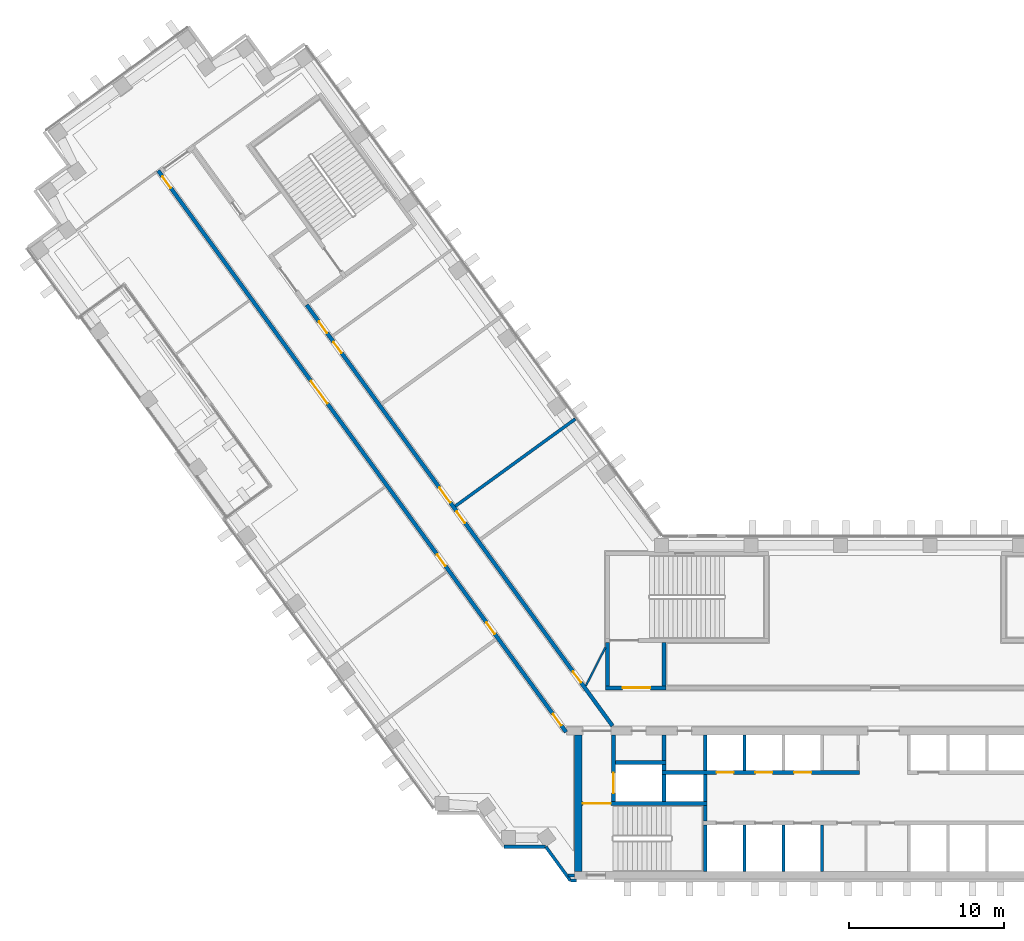
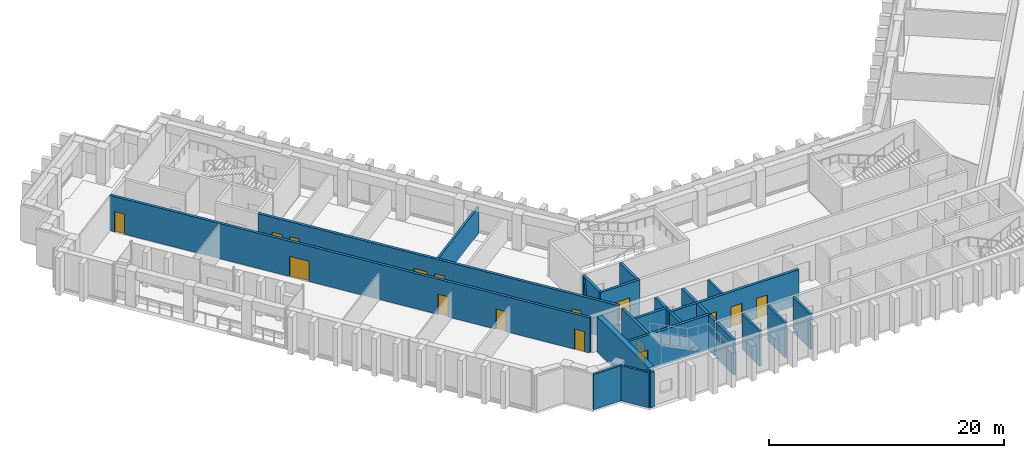
# One storey, part 8 of 17: 27 walls, 16 doors, 16 openings.
"""IFC4 building model written with IfcOpenShell, lengths in metres."""

from ifc_helpers import new_model, si_unit, direction, frame, frame_2d, origin, place, context, subcontext, project, spatial, rectangle, extrude, material, layer, layer_set, type_object, element, fill, save


model = new_model("IFC4")

# Units and contexts
model_context = context("Model", 3, precision=1e-05, world=origin(), true_north=direction((0.0, 1.0)))
body_context = subcontext(model_context, "Body", "Model", "MODEL_VIEW")
ifc_project = project(units=[si_unit("LENGTHUNIT", "METRE"), si_unit("AREAUNIT", "SQUARE_METRE"), si_unit("VOLUMEUNIT", "CUBIC_METRE"), si_unit("PLANEANGLEUNIT", "RADIAN"), si_unit("MASSUNIT", "GRAM", prefix="KILO")], contexts=[model_context])

# Site, building, storey
site_placement = place(None, origin())
site = spatial("IfcSite", under=ifc_project, at=site_placement, CompositionType="ELEMENT")
building_placement = place(site_placement, origin())
building = spatial("IfcBuilding", under=site, at=building_placement, Name="Quipu Civic Tower", CompositionType="ELEMENT")
storey_placement = place(building_placement, frame((0.0, 0.0, 43.0)))
storey = spatial("IfcBuildingStorey", under=building, at=storey_placement, Name="L09", CompositionType="ELEMENT", Elevation=43.0)

# Walls
ifc_material_1 = material(Name="Fired clay blockwork", Category="masonry")
ifc_layer_1 = layer(ifc_material_1, 0.199951171875)
ifc_layer_set_1 = layer_set([ifc_layer_1], Name="Fired clay blockwork")
wall_type_1 = type_object("IfcWallType", Name="Blockwork wall 200", PredefinedType="SOLIDWALL", material=ifc_layer_set_1)
wall_1_placement = place(storey_placement, frame((-19.938232421875, 18.62939453125, 0.0), z_axis=(0.0, 0.0, 1.0), x_axis=(-0.80900684162, -0.587799226107, 0.0)))
element("IfcWall", 1, at=wall_1_placement, inside=storey, type_object=wall_type_1, Name="Partition P18", PredefinedType="SOLIDWALL", context=body_context, shape_type="SweptSolid", body=[
    extrude(rectangle(XDim=9.550048828125, YDim=0.199951171875, at=frame_2d((4.77490234375, 0.0))), origin(), (0.0, 0.0, 1.0), 2.75),
])
ifc_material_2 = material(Name="Concrete C70/85", Category="concrete")
ifc_layer_2 = layer(ifc_material_2, 0.25)
ifc_layer_set_2 = layer_set([ifc_layer_2], Name="Concrete C70/85")
wall_type_2 = type_object("IfcWallType", Name="Core wall 250", PredefinedType="SHEAR", material=ifc_layer_set_2)
wall_2_placement = place(storey_placement, frame((-11.574951171875, -10.5, 0.0), z_axis=(0.0, 0.0, 1.0), x_axis=(0.0, 1.0, 0.0)))
element("IfcWall", 2, at=wall_2_placement, inside=storey, type_object=wall_type_2, Name="Core wall", PredefinedType="SHEAR", context=body_context, shape_type="SweptSolid", body=[
    extrude(rectangle(XDim=3.0, YDim=0.25, at=frame_2d((1.5, 0.0))), origin(), (0.0, 0.0, 1.0), 3.64990234375),
])
wall_3_placement = place(storey_placement, frame((-11.574951171875, -7.25, 0.0), z_axis=(0.0, 0.0, 1.0), x_axis=(0.0, 1.0, 0.0)))
element("IfcWall", 3, at=wall_3_placement, inside=storey, type_object=wall_type_2, Name="Core wall", PredefinedType="SHEAR", context=body_context, shape_type="SweptSolid", body=[
    extrude(rectangle(XDim=1.0, YDim=0.25, at=frame_2d((0.5, 0.0))), origin(), (0.0, 0.0, 1.0), 3.64990234375),
])

# Wall, opening, door
wall_4_placement = place(storey_placement, frame((-11.449951171875, -6.125, 0.0), z_axis=(0.0, 0.0, 1.0), x_axis=(-1.0, 0.0, 0.0)))
wall_4 = element("IfcWall", 4, at=wall_4_placement, inside=storey, type_object=wall_type_2, Name="Core wall", PredefinedType="SHEAR", context=body_context, shape_type="SweptSolid", body=[
    extrude(rectangle(XDim=8.050048828125, YDim=0.25, at=frame_2d((4.02490234375, 0.0))), origin(), (0.0, 0.0, 1.0), 3.64990234375),
])
opening_1_placement = place(wall_4_placement, frame((6.199951171875, 0.0, 0.0)))
opening_1 = element("IfcOpeningElement", 5, at=opening_1_placement, cuts=wall_4, Name="Opening CD-03", PredefinedType="OPENING", context=body_context, shape_type="SweptSolid", body=[
    extrude(rectangle(XDim=1.800048828125, YDim=2.10009765625, at=frame_2d((0.89990234375, 1.050048828125))), frame((0.0, 0.135009765625, 0.0), z_axis=(0.0, -1.0, 0.0), x_axis=(1.0, 0.0, 0.0)), (0.0, 0.0, 1.0), 0.27001953125),
])
ifc_material_3 = material(Name="Fire rated steel door", Category="steel")
door_type_1 = type_object("IfcDoorType", Name="Fire door FD90 double 1800 x 2100", OperationType="NOTDEFINED", PredefinedType="DOOR", material=ifc_material_3)
door_1_placement = place(opening_1_placement, origin())
door_1 = element("IfcDoor", 6, at=door_1_placement, inside=storey, type_object=door_type_1, Name="Door", OperationType="DOUBLE_DOOR_SINGLE_SWING", OverallHeight=2.10009765625, OverallWidth=1.800048828125, PredefinedType="DOOR", context=body_context, shape_type="SweptSolid", body=[
    extrude(rectangle(XDim=1.800048828125, YDim=2.10009765625, at=frame_2d((0.89990234375, 1.050048828125))), frame((0.0, 0.02490234375, 0.0), z_axis=(0.0, -1.0, 0.0), x_axis=(1.0, 0.0, 0.0)), (0.0, 0.0, 1.0), 0.050048828125),
])
fill(opening_1, door_1)

wall_5_placement = place(storey_placement, frame((-17.47509765625, -6.0, 0.0), z_axis=(0.0, 0.0, 1.0), x_axis=(0.0, 1.0, 0.0)))
wall_5 = element("IfcWall", 7, at=wall_5_placement, inside=storey, type_object=wall_type_2, Name="Core wall", PredefinedType="SHEAR", context=body_context, shape_type="SweptSolid", body=[
    extrude(rectangle(XDim=4.300048828125, YDim=0.25, at=frame_2d((2.14990234375, 0.0))), origin(), (0.0, 0.0, 1.0), 3.64990234375),
])
opening_2_placement = place(wall_5_placement, frame((0.550048828125, 0.0, 0.0)))
opening_2 = element("IfcOpeningElement", 8, at=opening_2_placement, cuts=wall_5, Name="Opening LD-FF1", PredefinedType="OPENING", context=body_context, shape_type="SweptSolid", body=[
    extrude(rectangle(XDim=1.300048828125, YDim=2.10009765625, at=frame_2d((0.64990234375, 1.050048828125))), frame((0.0, 0.135009765625, 0.0), z_axis=(0.0, -1.0, 0.0), x_axis=(1.0, 0.0, 0.0)), (0.0, 0.0, 1.0), 0.27001953125),
])
ifc_material_4 = material(Name="Stainless steel", Category="steel")
door_type_2 = type_object("IfcDoorType", Name="Lift landing door 1300 x 2100", OperationType="DOUBLE_DOOR_SLIDING", PredefinedType="DOOR", material=ifc_material_4)
door_2_placement = place(opening_2_placement, origin())
door_2 = element("IfcDoor", 9, at=door_2_placement, inside=storey, type_object=door_type_2, Name="Landing door FF1", OperationType="DOUBLE_DOOR_SLIDING", OverallHeight=2.10009765625, OverallWidth=1.300048828125, PredefinedType="DOOR", context=body_context, shape_type="SweptSolid", body=[
    extrude(rectangle(XDim=1.300048828125, YDim=2.10009765625, at=frame_2d((0.64990234375, 1.050048828125))), frame((0.0, 0.02490234375, 0.0), z_axis=(0.0, -1.0, 0.0), x_axis=(1.0, 0.0, 0.0)), (0.0, 0.0, 1.0), 0.050048828125),
])
fill(opening_2, door_2)

# Walls
for number, where, z_axis, x_axis, name in (
    (10, (-14.22509765625, -6.0, 0.0), (0.0, 0.0, 1.0), (0.0, 1.0, 0.0), "Core wall"),
    (11, (-11.574951171875, -6.0, 0.0), (0.0, 0.0, 1.0), (0.0, 1.0, 0.0), "Core wall"),
):
    element("IfcWall", number, at=place(storey_placement, frame(where, z_axis=z_axis, x_axis=x_axis)), inside=storey, type_object=wall_type_2, Name=name, PredefinedType="SHEAR", context=body_context, shape_type="SweptSolid", body=[
        extrude(rectangle(XDim=1.75, YDim=0.25, at=frame_2d((0.875, 0.0))), origin(), (0.0, 0.0, 1.0), 3.64990234375),
    ])

# Wall, openings, doors
wall_6_placement = place(storey_placement, frame((-14.35009765625, -4.125, 0.0), z_axis=(0.0, 0.0, 1.0), x_axis=(1.0, 0.0, 0.0)))
wall_6 = element("IfcWall", 12, at=wall_6_placement, inside=storey, type_object=wall_type_2, Name="Core wall", PredefinedType="SHEAR", context=body_context, shape_type="SweptSolid", body=[
    extrude(rectangle(XDim=12.7001953125, YDim=0.25, at=frame_2d((6.35009765625, 0.0))), origin(), (0.0, 0.0, 1.0), 3.64990234375),
])
opening_3_placement = place(wall_6_placement, frame((3.5, 0.0, 0.0)))
opening_3 = element("IfcOpeningElement", 13, at=opening_3_placement, cuts=wall_6, Name="Opening LD-LL4", PredefinedType="OPENING", context=body_context, shape_type="SweptSolid", body=[
    extrude(rectangle(XDim=1.10009765625, YDim=2.10009765625, at=frame_2d((0.550048828125, 1.050048828125))), frame((0.0, 0.135009765625, 0.0), z_axis=(0.0, -1.0, 0.0), x_axis=(1.0, 0.0, 0.0)), (0.0, 0.0, 1.0), 0.27001953125),
])
opening_4_placement = place(wall_6_placement, frame((6.0, 0.0, 0.0)))
opening_4 = element("IfcOpeningElement", 14, at=opening_4_placement, cuts=wall_6, Name="Opening LD-LL5", PredefinedType="OPENING", context=body_context, shape_type="SweptSolid", body=[
    extrude(rectangle(XDim=1.10009765625, YDim=2.10009765625, at=frame_2d((0.550048828125, 1.050048828125))), frame((0.0, 0.135009765625, 0.0), z_axis=(0.0, -1.0, 0.0), x_axis=(1.0, 0.0, 0.0)), (0.0, 0.0, 1.0), 0.27001953125),
])
opening_5_placement = place(wall_6_placement, frame((8.5, 0.0, 0.0)))
opening_5 = element("IfcOpeningElement", 15, at=opening_5_placement, cuts=wall_6, Name="Opening LD-LL6", PredefinedType="OPENING", context=body_context, shape_type="SweptSolid", body=[
    extrude(rectangle(XDim=1.10009765625, YDim=2.10009765625, at=frame_2d((0.550048828125, 1.050048828125))), frame((0.0, 0.135009765625, 0.0), z_axis=(0.0, -1.0, 0.0), x_axis=(1.0, 0.0, 0.0)), (0.0, 0.0, 1.0), 0.27001953125),
])
ifc_material_5 = material(Name="Stainless steel", Category="steel")
door_type_3 = type_object("IfcDoorType", Name="Lift landing door 1100 x 2100", OperationType="DOUBLE_DOOR_SLIDING", PredefinedType="DOOR", material=ifc_material_5)
door_3_placement = place(opening_3_placement, origin())
door_3 = element("IfcDoor", 16, at=door_3_placement, inside=storey, type_object=door_type_3, Name="Landing door LL4", OperationType="DOUBLE_DOOR_SLIDING", OverallHeight=2.10009765625, OverallWidth=1.10009765625, PredefinedType="DOOR", context=body_context, shape_type="SweptSolid", body=[
    extrude(rectangle(XDim=1.10009765625, YDim=2.10009765625, at=frame_2d((0.550048828125, 1.050048828125))), frame((0.0, 0.02490234375, 0.0), z_axis=(0.0, -1.0, 0.0), x_axis=(1.0, 0.0, 0.0)), (0.0, 0.0, 1.0), 0.050048828125),
])
fill(opening_3, door_3)
door_4_placement = place(opening_4_placement, origin())
door_4 = element("IfcDoor", 17, at=door_4_placement, inside=storey, type_object=door_type_3, Name="Landing door LL5", OperationType="DOUBLE_DOOR_SLIDING", OverallHeight=2.10009765625, OverallWidth=1.10009765625, PredefinedType="DOOR", context=body_context, shape_type="SweptSolid", body=[
    extrude(rectangle(XDim=1.10009765625, YDim=2.10009765625, at=frame_2d((0.550048828125, 1.050048828125))), frame((0.0, 0.02490234375, 0.0), z_axis=(0.0, -1.0, 0.0), x_axis=(1.0, 0.0, 0.0)), (0.0, 0.0, 1.0), 0.050048828125),
])
fill(opening_4, door_4)
door_5_placement = place(opening_5_placement, origin())
door_5 = element("IfcDoor", 18, at=door_5_placement, inside=storey, type_object=door_type_3, Name="Landing door LL6", OperationType="DOUBLE_DOOR_SLIDING", OverallHeight=2.10009765625, OverallWidth=1.10009765625, PredefinedType="DOOR", context=body_context, shape_type="SweptSolid", body=[
    extrude(rectangle(XDim=1.10009765625, YDim=2.10009765625, at=frame_2d((0.550048828125, 1.050048828125))), frame((0.0, 0.02490234375, 0.0), z_axis=(0.0, -1.0, 0.0), x_axis=(1.0, 0.0, 0.0)), (0.0, 0.0, 1.0), 0.050048828125),
])
fill(opening_5, door_5)

# Walls
wall_7_placement = place(storey_placement, frame((-14.22509765625, -4.0, 0.0), z_axis=(0.0, 0.0, 1.0), x_axis=(0.0, 1.0, 0.0)))
element("IfcWall", 19, at=wall_7_placement, inside=storey, type_object=wall_type_2, Name="Core wall", PredefinedType="SHEAR", context=body_context, shape_type="SweptSolid", body=[
    extrude(rectangle(XDim=0.39990234375, YDim=0.25, at=frame_2d((0.199951171875, 0.0))), origin(), (0.0, 0.0, 1.0), 3.64990234375),
])
wall_8_placement = place(storey_placement, frame((-11.574951171875, -4.0, 0.0), z_axis=(0.0, 0.0, 1.0), x_axis=(0.0, 1.0, 0.0)))
element("IfcWall", 20, at=wall_8_placement, inside=storey, type_object=wall_type_2, Name="Core wall", PredefinedType="SHEAR", context=body_context, shape_type="SweptSolid", body=[
    extrude(rectangle(XDim=2.300048828125, YDim=0.25, at=frame_2d((1.14990234375, 0.0))), origin(), (0.0, 0.0, 1.0), 3.64990234375),
])
wall_9_placement = place(storey_placement, frame((-17.35009765625, -3.47509765625, 0.0), z_axis=(0.0, 0.0, 1.0), x_axis=(1.0, 0.0, 0.0)))
element("IfcWall", 21, at=wall_9_placement, inside=storey, type_object=wall_type_2, Name="Core wall", PredefinedType="SHEAR", context=body_context, shape_type="SweptSolid", body=[
    extrude(rectangle(XDim=3.25, YDim=0.25, at=frame_2d((1.625, 0.0))), origin(), (0.0, 0.0, 1.0), 3.64990234375),
])
wall_10_placement = place(storey_placement, frame((-14.22509765625, -3.35009765625, 0.0), z_axis=(0.0, 0.0, 1.0), x_axis=(0.0, 1.0, 0.0)))
element("IfcWall", 22, at=wall_10_placement, inside=storey, type_object=wall_type_2, Name="Core wall", PredefinedType="SHEAR", context=body_context, shape_type="SweptSolid", body=[
    extrude(rectangle(XDim=1.650146484375, YDim=0.25, at=frame_2d((0.8251953125, 0.0))), origin(), (0.0, 0.0, 1.0), 3.64990234375),
])

# Wall, opening, door
wall_11_placement = place(storey_placement, frame((-18.0, 1.324951171875, 0.0), z_axis=(0.0, 0.0, 1.0), x_axis=(1.0, 0.0, 0.0)))
wall_11 = element("IfcWall", 23, at=wall_11_placement, inside=storey, type_object=wall_type_2, Name="Core wall", PredefinedType="SHEAR", context=body_context, shape_type="SweptSolid", body=[
    extrude(rectangle(XDim=3.89990234375, YDim=0.25, at=frame_2d((1.949951171875, 0.0))), origin(), (0.0, 0.0, 1.0), 3.64990234375),
])
opening_6_placement = place(wall_11_placement, frame((1.10009765625, 0.0, 0.0)))
opening_6 = element("IfcOpeningElement", 24, at=opening_6_placement, cuts=wall_11, Name="Opening CD-14", PredefinedType="OPENING", context=body_context, shape_type="SweptSolid", body=[
    extrude(rectangle(XDim=1.800048828125, YDim=2.10009765625, at=frame_2d((0.89990234375, 1.050048828125))), frame((0.0, 0.135009765625, 0.0), z_axis=(0.0, -1.0, 0.0), x_axis=(1.0, 0.0, 0.0)), (0.0, 0.0, 1.0), 0.27001953125),
])
door_6_placement = place(opening_6_placement, origin())
door_6 = element("IfcDoor", 25, at=door_6_placement, inside=storey, type_object=door_type_1, Name="Lobby door", OperationType="DOUBLE_DOOR_SINGLE_SWING", OverallHeight=2.10009765625, OverallWidth=1.800048828125, PredefinedType="DOOR", context=body_context, shape_type="SweptSolid", body=[
    extrude(rectangle(XDim=1.800048828125, YDim=2.10009765625, at=frame_2d((0.89990234375, 1.050048828125))), frame((0.0, 0.02490234375, 0.0), z_axis=(0.0, -1.0, 0.0), x_axis=(1.0, 0.0, 0.0)), (0.0, 0.0, 1.0), 0.050048828125),
])
fill(opening_6, door_6)

# Walls
for number, where, z_axis, x_axis, name in (
    (26, (-17.875, 1.449951171875, 0.0), (0.0, 0.0, 1.0), (0.0, 1.0, 0.0), "Core wall"),
    (27, (-14.22509765625, 1.449951171875, 0.0), (0.0, 0.0, 1.0), (0.0, 1.0, 0.0), "Core wall"),
):
    element("IfcWall", number, at=place(storey_placement, frame(where, z_axis=z_axis, x_axis=x_axis)), inside=storey, type_object=wall_type_2, Name=name, PredefinedType="SHEAR", context=body_context, shape_type="SweptSolid", body=[
        extrude(rectangle(XDim=2.800048828125, YDim=0.25, at=frame_2d((1.39990234375, 0.0))), origin(), (0.0, 0.0, 1.0), 3.64990234375),
    ])
ifc_material_6 = material(Name="Concrete C70/85", Category="concrete")
ifc_layer_3 = layer(ifc_material_6, 0.5)
ifc_layer_set_3 = layer_set([ifc_layer_3], Name="Concrete C70/85")
wall_type_3 = type_object("IfcWallType", Name="Core wall 500", PredefinedType="SHEAR", material=ifc_layer_set_3)
wall_12_placement = place(storey_placement, frame((-19.75, -10.5, 0.0), z_axis=(0.0, 0.0, 1.0), x_axis=(0.0, 1.0, 0.0)))
element("IfcWall", 28, at=wall_12_placement, inside=storey, type_object=wall_type_3, Name="Core wall", PredefinedType="SHEAR", context=body_context, shape_type="SweptSolid", body=[
    extrude(rectangle(XDim=8.800048828125, YDim=0.5, at=frame_2d((4.39990234375, 0.0))), origin(), (0.0, 0.0, 1.0), 3.64990234375),
])

# Wall, openings, doors
ifc_material_7 = material(Name="Concrete C50/60", Category="concrete")
ifc_layer_4 = layer(ifc_material_7, 0.25)
ifc_layer_set_4 = layer_set([ifc_layer_4], Name="Concrete C50/60")
wall_type_4 = type_object("IfcWallType", Name="Corridor wall 250 concrete", PredefinedType="SOLIDWALL", material=ifc_layer_set_4)
wall_13_placement = place(storey_placement, frame((-20.531005859375, -1.5234375, 0.0), z_axis=(0.0, 0.0, 1.0), x_axis=(-0.587784593204, 0.809017473231, 0.0)))
wall_13 = element("IfcWall", 29, at=wall_13_placement, inside=storey, type_object=wall_type_4, Name="Corridor wall C01", PredefinedType="SOLIDWALL", context=body_context, shape_type="SweptSolid", body=[
    extrude(rectangle(XDim=44.67041015625, YDim=0.25, at=frame_2d((22.335205078125, 0.0))), origin(), (0.0, 0.0, 1.0), 3.64990234375),
])
opening_7_placement = place(wall_13_placement, frame((26.14013671875, 0.0, 0.0)))
opening_7 = element("IfcOpeningElement", 30, at=opening_7_placement, cuts=wall_13, Name="Opening D019", PredefinedType="OPENING", context=body_context, shape_type="SweptSolid", body=[
    extrude(rectangle(XDim=1.800048828125, YDim=2.10009765625, at=frame_2d((0.89990234375, 1.050048828125))), frame((0.0, 0.135009765625, 0.0), z_axis=(0.0, -1.0, 0.0), x_axis=(1.0, 0.0, 0.0)), (0.0, 0.0, 1.0), 0.27001953125),
])
opening_8_placement = place(wall_13_placement, frame((43.295654296875, 0.0, 0.0)))
opening_8 = element("IfcOpeningElement", 31, at=opening_8_placement, cuts=wall_13, Name="Opening D018", PredefinedType="OPENING", context=body_context, shape_type="SweptSolid", body=[
    extrude(rectangle(XDim=0.89990234375, YDim=2.10009765625, at=frame_2d((0.449951171875, 1.050048828125))), frame((0.0, 0.135009765625, 0.0), z_axis=(0.0, -1.0, 0.0), x_axis=(1.0, 0.0, 0.0)), (0.0, 0.0, 1.0), 0.27001953125),
])
opening_9_placement = place(wall_13_placement, frame((13.216064453125, 0.0, 0.0)))
opening_9 = element("IfcOpeningElement", 32, at=opening_9_placement, cuts=wall_13, Name="Opening D020", PredefinedType="OPENING", context=body_context, shape_type="SweptSolid", body=[
    extrude(rectangle(XDim=0.89990234375, YDim=2.10009765625, at=frame_2d((0.449951171875, 1.050048828125))), frame((0.0, 0.135009765625, 0.0), z_axis=(0.0, -1.0, 0.0), x_axis=(1.0, 0.0, 0.0)), (0.0, 0.0, 1.0), 0.27001953125),
])
opening_10_placement = place(wall_13_placement, frame((7.81591796875, 0.0, 0.0)))
opening_10 = element("IfcOpeningElement", 33, at=opening_10_placement, cuts=wall_13, Name="Opening D021", PredefinedType="OPENING", context=body_context, shape_type="SweptSolid", body=[
    extrude(rectangle(XDim=0.89990234375, YDim=2.10009765625, at=frame_2d((0.449951171875, 1.050048828125))), frame((0.0, 0.135009765625, 0.0), z_axis=(0.0, -1.0, 0.0), x_axis=(1.0, 0.0, 0.0)), (0.0, 0.0, 1.0), 0.27001953125),
])
opening_11_placement = place(wall_13_placement, frame((0.53271484375, 0.0, 0.0)))
opening_11 = element("IfcOpeningElement", 34, at=opening_11_placement, cuts=wall_13, Name="Opening D022", PredefinedType="OPENING", context=body_context, shape_type="SweptSolid", body=[
    extrude(rectangle(XDim=0.89990234375, YDim=2.10009765625, at=frame_2d((0.449951171875, 1.050048828125))), frame((0.0, 0.135009765625, 0.0), z_axis=(0.0, -1.0, 0.0), x_axis=(1.0, 0.0, 0.0)), (0.0, 0.0, 1.0), 0.27001953125),
])
ifc_material_8 = material(Name="Fire rated timber door set with metal frame", Category="wood")
door_type_4 = type_object("IfcDoorType", Name="Double door 1800 x 2100 FD60", OperationType="DOUBLE_DOOR_SINGLE_SWING", PredefinedType="DOOR", material=ifc_material_8)
door_7_placement = place(opening_7_placement, origin())
door_7 = element("IfcDoor", 35, at=door_7_placement, inside=storey, type_object=door_type_4, Name="Door D019", OperationType="DOUBLE_DOOR_SINGLE_SWING", OverallHeight=2.10009765625, OverallWidth=1.800048828125, PredefinedType="DOOR", context=body_context, shape_type="SweptSolid", body=[
    extrude(rectangle(XDim=1.800048828125, YDim=2.10009765625, at=frame_2d((0.89990234375, 1.050048828125))), frame((0.0, 0.02490234375, 0.0), z_axis=(0.0, -1.0, 0.0), x_axis=(1.0, 0.0, 0.0)), (0.0, 0.0, 1.0), 0.050048828125),
])
fill(opening_7, door_7)
ifc_material_9 = material(Name="Fire rated timber door set with metal frame", Category="wood")
door_type_5 = type_object("IfcDoorType", Name="Single door 900 x 2100 FD60", OperationType="NOTDEFINED", PredefinedType="DOOR", material=ifc_material_9)
door_8_placement = place(opening_8_placement, origin())
door_8 = element("IfcDoor", 36, at=door_8_placement, inside=storey, type_object=door_type_5, Name="Door D018", OperationType="SINGLE_SWING_RIGHT", OverallHeight=2.10009765625, OverallWidth=0.89990234375, PredefinedType="DOOR", context=body_context, shape_type="SweptSolid", body=[
    extrude(rectangle(XDim=0.89990234375, YDim=2.10009765625, at=frame_2d((0.449951171875, 1.050048828125))), frame((0.0, 0.02490234375, 0.0), z_axis=(0.0, -1.0, 0.0), x_axis=(1.0, 0.0, 0.0)), (0.0, 0.0, 1.0), 0.050048828125),
])
fill(opening_8, door_8)
door_9_placement = place(opening_9_placement, origin())
door_9 = element("IfcDoor", 37, at=door_9_placement, inside=storey, type_object=door_type_5, Name="Door D020", OperationType="SINGLE_SWING_LEFT", OverallHeight=2.10009765625, OverallWidth=0.89990234375, PredefinedType="DOOR", context=body_context, shape_type="SweptSolid", body=[
    extrude(rectangle(XDim=0.89990234375, YDim=2.10009765625, at=frame_2d((0.449951171875, 1.050048828125))), frame((0.0, 0.02490234375, 0.0), z_axis=(0.0, -1.0, 0.0), x_axis=(1.0, 0.0, 0.0)), (0.0, 0.0, 1.0), 0.050048828125),
])
fill(opening_9, door_9)
door_10_placement = place(opening_10_placement, origin())
door_10 = element("IfcDoor", 38, at=door_10_placement, inside=storey, type_object=door_type_5, Name="Door D021", OperationType="SINGLE_SWING_LEFT", OverallHeight=2.10009765625, OverallWidth=0.89990234375, PredefinedType="DOOR", context=body_context, shape_type="SweptSolid", body=[
    extrude(rectangle(XDim=0.89990234375, YDim=2.10009765625, at=frame_2d((0.449951171875, 1.050048828125))), frame((0.0, 0.02490234375, 0.0), z_axis=(0.0, -1.0, 0.0), x_axis=(1.0, 0.0, 0.0)), (0.0, 0.0, 1.0), 0.050048828125),
])
fill(opening_10, door_10)
door_11_placement = place(opening_11_placement, origin())
door_11 = element("IfcDoor", 39, at=door_11_placement, inside=storey, type_object=door_type_5, Name="Door D022", OperationType="SINGLE_SWING_LEFT", OverallHeight=2.10009765625, OverallWidth=0.89990234375, PredefinedType="DOOR", context=body_context, shape_type="SweptSolid", body=[
    extrude(rectangle(XDim=0.89990234375, YDim=2.10009765625, at=frame_2d((0.449951171875, 1.050048828125))), frame((0.0, 0.02490234375, 0.0), z_axis=(0.0, -1.0, 0.0), x_axis=(1.0, 0.0, 0.0)), (0.0, 0.0, 1.0), 0.050048828125),
])
fill(opening_11, door_11)

wall_14_placement = place(storey_placement, frame((-37.231689453125, 25.9716796875, 0.0), z_axis=(0.0, 0.0, 1.0), x_axis=(0.587786323093, -0.809016216391, 0.0)))
wall_14 = element("IfcWall", 40, at=wall_14_placement, inside=storey, type_object=wall_type_4, Name="Corridor wall C04", PredefinedType="SOLIDWALL", context=body_context, shape_type="SweptSolid", body=[
    extrude(rectangle(XDim=33.4931640625, YDim=0.25, at=frame_2d((16.74658203125, 0.0))), origin(), (0.0, 0.0, 1.0), 3.64990234375),
])
opening_12_placement = place(wall_14_placement, frame((2.935302734375, 0.0, 0.0)))
opening_12 = element("IfcOpeningElement", 41, at=opening_12_placement, cuts=wall_14, Name="Opening D014", PredefinedType="OPENING", context=body_context, shape_type="SweptSolid", body=[
    extrude(rectangle(XDim=0.89990234375, YDim=2.10009765625, at=frame_2d((0.449951171875, 1.050048828125))), frame((0.0, 0.135009765625, 0.0), z_axis=(0.0, -1.0, 0.0), x_axis=(1.0, 0.0, 0.0)), (0.0, 0.0, 1.0), 0.27001953125),
])
opening_13_placement = place(wall_14_placement, frame((16.434814453125, 0.0, 0.0)))
opening_13 = element("IfcOpeningElement", 42, at=opening_13_placement, cuts=wall_14, Name="Opening D016", PredefinedType="OPENING", context=body_context, shape_type="SweptSolid", body=[
    extrude(rectangle(XDim=0.89990234375, YDim=2.10009765625, at=frame_2d((0.449951171875, 1.050048828125))), frame((0.0, 0.135009765625, 0.0), z_axis=(0.0, -1.0, 0.0), x_axis=(1.0, 0.0, 0.0)), (0.0, 0.0, 1.0), 0.27001953125),
])
opening_14_placement = place(wall_14_placement, frame((29.151611328125, 0.0, 0.0)))
opening_14 = element("IfcOpeningElement", 43, at=opening_14_placement, cuts=wall_14, Name="Opening D017", PredefinedType="OPENING", context=body_context, shape_type="SweptSolid", body=[
    extrude(rectangle(XDim=0.89990234375, YDim=2.10009765625, at=frame_2d((0.449951171875, 1.050048828125))), frame((0.0, 0.135009765625, 0.0), z_axis=(0.0, -1.0, 0.0), x_axis=(1.0, 0.0, 0.0)), (0.0, 0.0, 1.0), 0.27001953125),
])
opening_15_placement = place(wall_14_placement, frame((14.53564453125, 0.0, 0.0)))
opening_15 = element("IfcOpeningElement", 44, at=opening_15_placement, cuts=wall_14, Name="Opening D015", PredefinedType="OPENING", context=body_context, shape_type="SweptSolid", body=[
    extrude(rectangle(XDim=1.199951171875, YDim=2.10009765625, at=frame_2d((0.60009765625, 1.050048828125))), frame((0.0, 0.135009765625, 0.0), z_axis=(0.0, -1.0, 0.0), x_axis=(1.0, 0.0, 0.0)), (0.0, 0.0, 1.0), 0.27001953125),
])
opening_16_placement = place(wall_14_placement, frame((1.335205078125, 0.0, 0.0)))
opening_16 = element("IfcOpeningElement", 45, at=opening_16_placement, cuts=wall_14, Name="Opening D013", PredefinedType="OPENING", context=body_context, shape_type="SweptSolid", body=[
    extrude(rectangle(XDim=0.89990234375, YDim=2.10009765625, at=frame_2d((0.449951171875, 1.050048828125))), frame((0.0, 0.135009765625, 0.0), z_axis=(0.0, -1.0, 0.0), x_axis=(1.0, 0.0, 0.0)), (0.0, 0.0, 1.0), 0.27001953125),
])
ifc_material_10 = material(Name="Fire rated timber door set with metal frame", Category="wood")
door_type_6 = type_object("IfcDoorType", Name="Single door 1200 x 2100 FD60", OperationType="NOTDEFINED", PredefinedType="DOOR", material=ifc_material_10)
door_12_placement = place(opening_15_placement, origin())
door_12 = element("IfcDoor", 46, at=door_12_placement, inside=storey, type_object=door_type_6, Name="Door D015", OperationType="SINGLE_SWING_RIGHT", OverallHeight=2.10009765625, OverallWidth=1.199951171875, PredefinedType="DOOR", context=body_context, shape_type="SweptSolid", body=[
    extrude(rectangle(XDim=1.199951171875, YDim=2.10009765625, at=frame_2d((0.60009765625, 1.050048828125))), frame((0.0, 0.02490234375, 0.0), z_axis=(0.0, -1.0, 0.0), x_axis=(1.0, 0.0, 0.0)), (0.0, 0.0, 1.0), 0.050048828125),
])
fill(opening_15, door_12)
door_13_placement = place(opening_12_placement, origin())
door_13 = element("IfcDoor", 47, at=door_13_placement, inside=storey, type_object=door_type_5, Name="Door D014", OperationType="SINGLE_SWING_LEFT", OverallHeight=2.10009765625, OverallWidth=0.89990234375, PredefinedType="DOOR", context=body_context, shape_type="SweptSolid", body=[
    extrude(rectangle(XDim=0.89990234375, YDim=2.10009765625, at=frame_2d((0.449951171875, 1.050048828125))), frame((0.0, 0.02490234375, 0.0), z_axis=(0.0, -1.0, 0.0), x_axis=(1.0, 0.0, 0.0)), (0.0, 0.0, 1.0), 0.050048828125),
])
fill(opening_12, door_13)
door_14_placement = place(opening_13_placement, origin())
door_14 = element("IfcDoor", 48, at=door_14_placement, inside=storey, type_object=door_type_5, Name="Door D016", OperationType="SINGLE_SWING_LEFT", OverallHeight=2.10009765625, OverallWidth=0.89990234375, PredefinedType="DOOR", context=body_context, shape_type="SweptSolid", body=[
    extrude(rectangle(XDim=0.89990234375, YDim=2.10009765625, at=frame_2d((0.449951171875, 1.050048828125))), frame((0.0, 0.02490234375, 0.0), z_axis=(0.0, -1.0, 0.0), x_axis=(1.0, 0.0, 0.0)), (0.0, 0.0, 1.0), 0.050048828125),
])
fill(opening_13, door_14)
door_15_placement = place(opening_14_placement, origin())
door_15 = element("IfcDoor", 49, at=door_15_placement, inside=storey, type_object=door_type_5, Name="Door D017", OperationType="SINGLE_SWING_RIGHT", OverallHeight=2.10009765625, OverallWidth=0.89990234375, PredefinedType="DOOR", context=body_context, shape_type="SweptSolid", body=[
    extrude(rectangle(XDim=0.89990234375, YDim=2.10009765625, at=frame_2d((0.449951171875, 1.050048828125))), frame((0.0, 0.02490234375, 0.0), z_axis=(0.0, -1.0, 0.0), x_axis=(1.0, 0.0, 0.0)), (0.0, 0.0, 1.0), 0.050048828125),
])
fill(opening_14, door_15)
door_16_placement = place(opening_16_placement, origin())
door_16 = element("IfcDoor", 50, at=door_16_placement, inside=storey, type_object=door_type_5, Name="Door D013", OperationType="SINGLE_SWING_RIGHT", OverallHeight=2.10009765625, OverallWidth=0.89990234375, PredefinedType="DOOR", context=body_context, shape_type="SweptSolid", body=[
    extrude(rectangle(XDim=0.89990234375, YDim=2.10009765625, at=frame_2d((0.449951171875, 1.050048828125))), frame((0.0, 0.02490234375, 0.0), z_axis=(0.0, -1.0, 0.0), x_axis=(1.0, 0.0, 0.0)), (0.0, 0.0, 1.0), 0.050048828125),
])
fill(opening_16, door_16)

# Walls
ifc_material_11 = material(Name="Gypsum plasterboard on light gauge framing")
ifc_layer_5 = layer(ifc_material_11, 0.1201171875)
ifc_layer_set_5 = layer_set([ifc_layer_5], Name="Gypsum plasterboard on light gauge framing")
wall_type_5 = type_object("IfcWallType", Name="Partition 120 plasterboard", PredefinedType="PARTITIONING", material=ifc_layer_set_5)
wall_15_placement = place(storey_placement, frame((-19.260986328125, 1.449951171875, 0.0), z_axis=(0.0, 0.0, 1.0), x_axis=(0.453950796792, 0.891026752736, 0.0)))
element("IfcWall", 51, at=wall_15_placement, inside=storey, type_object=wall_type_5, Name="Partition P22", PredefinedType="PARTITIONING", context=body_context, shape_type="SweptSolid", body=[
    extrude(rectangle(XDim=2.77783203125, YDim=0.1201171875, at=frame_2d((1.388916015625, 0.0))), origin(), (0.0, 0.0, 1.0), 3.64990234375),
])
ifc_material_12 = material(Name="Precast concrete C40/50", Category="concrete")
wall_type_6 = type_object("IfcWallType", Name="Precast cladding wall", PredefinedType="SOLIDWALL", material=ifc_material_12)
wall_16_placement = place(storey_placement, frame((-24.542724609375, -8.90380859375, 0.0), z_axis=(0.0, 0.0, 1.0), x_axis=(1.0, 0.0, 0.0)))
element("IfcWall", 52, at=wall_16_placement, inside=storey, type_object=wall_type_6, Name="Precast cladding wall L09 10", PredefinedType="SOLIDWALL", context=body_context, shape_type="SweptSolid", body=[
    extrude(rectangle(XDim=2.699951171875, YDim=0.199951171875, at=frame_2d((1.35009765625, 0.0))), origin(), (0.0, 0.0, 1.0), 3.64990234375),
])
wall_17_placement = place(storey_placement, frame((-21.8330078125, -8.90869140625, 0.0), z_axis=(0.0, 0.0, 1.0), x_axis=(0.587766567315, -0.809030569476, 0.0)))
element("IfcWall", 53, at=wall_17_placement, inside=storey, type_object=wall_type_6, Name="Precast cladding wall L09 11", PredefinedType="SOLIDWALL", context=body_context, shape_type="SweptSolid", body=[
    extrude(rectangle(XDim=2.687744140625, YDim=0.199951171875, at=frame_2d((1.34375, 0.0))), origin(), (0.0, 0.0, 1.0), 3.64990234375),
])
wall_18_placement = place(storey_placement, frame((-20.255859375, -11.087890625, 0.0), z_axis=(0.0, 0.0, 1.0), x_axis=(1.0, 0.0, 0.0)))
element("IfcWall", 54, at=wall_18_placement, inside=storey, type_object=wall_type_6, Name="Precast cladding wall L09 12", PredefinedType="SOLIDWALL", context=body_context, shape_type="SweptSolid", body=[
    extrude(rectangle(XDim=0.40576171875, YDim=0.199951171875, at=frame_2d((0.202880859375, 0.0))), origin(), (0.0, 0.0, 1.0), 3.64990234375),
])
wall_19_placement = place(storey_placement, frame((-19.97998046875, -10.75, 0.0), z_axis=(0.0, 0.0, 1.0), x_axis=(-1.0, 0.0, 0.0)))
element("IfcWall", 55, at=wall_19_placement, inside=storey, type_object=wall_type_6, Name="Precast cladding return L09 W", PredefinedType="SOLIDWALL", context=body_context, shape_type="SweptSolid", body=[
    extrude(rectangle(XDim=0.41650390625, YDim=0.199951171875, at=frame_2d((0.208251953125, 0.0))), origin(), (0.0, 0.0, 1.0), 3.64990234375),
])
ifc_material_13 = material(Name="Concrete C40/50", Category="concrete")
ifc_layer_6 = layer(ifc_material_13, 0.199951171875)
ifc_layer_set_6 = layer_set([ifc_layer_6], Name="Concrete C40/50")
wall_type_7 = type_object("IfcWallType", Name="Shaft wall 200", PredefinedType="SOLIDWALL", material=ifc_layer_set_6)
for number, where, z_axis, x_axis, name in (
    (56, (-9.050048828125, -10.5, 0.0), (0.0, 0.0, 1.0), (0.0, 1.0, 0.0), "Shaft wall"),
    (57, (-6.550048828125, -10.5, 0.0), (0.0, 0.0, 1.0), (0.0, 1.0, 0.0), "Shaft wall"),
    (58, (-4.050048828125, -10.5, 0.0), (0.0, 0.0, 1.0), (0.0, 1.0, 0.0), "Shaft wall"),
):
    element("IfcWall", number, at=place(storey_placement, frame(where, z_axis=z_axis, x_axis=x_axis)), inside=storey, type_object=wall_type_7, Name=name, PredefinedType="SOLIDWALL", context=body_context, shape_type="SweptSolid", body=[
        extrude(rectangle(XDim=3.0, YDim=0.199951171875, at=frame_2d((1.5, 0.0))), origin(), (0.0, 0.0, 1.0), 3.64990234375),
    ])
wall_20_placement = place(storey_placement, frame((-9.050048828125, -4.0, 0.0), z_axis=(0.0, 0.0, 1.0), x_axis=(0.0, 1.0, 0.0)))
element("IfcWall", 59, at=wall_20_placement, inside=storey, type_object=wall_type_7, Name="Shaft wall", PredefinedType="SOLIDWALL", context=body_context, shape_type="SweptSolid", body=[
    extrude(rectangle(XDim=2.300048828125, YDim=0.199951171875, at=frame_2d((1.14990234375, 0.0))), origin(), (0.0, 0.0, 1.0), 3.64990234375),
])

save(model, "model.ifc")
